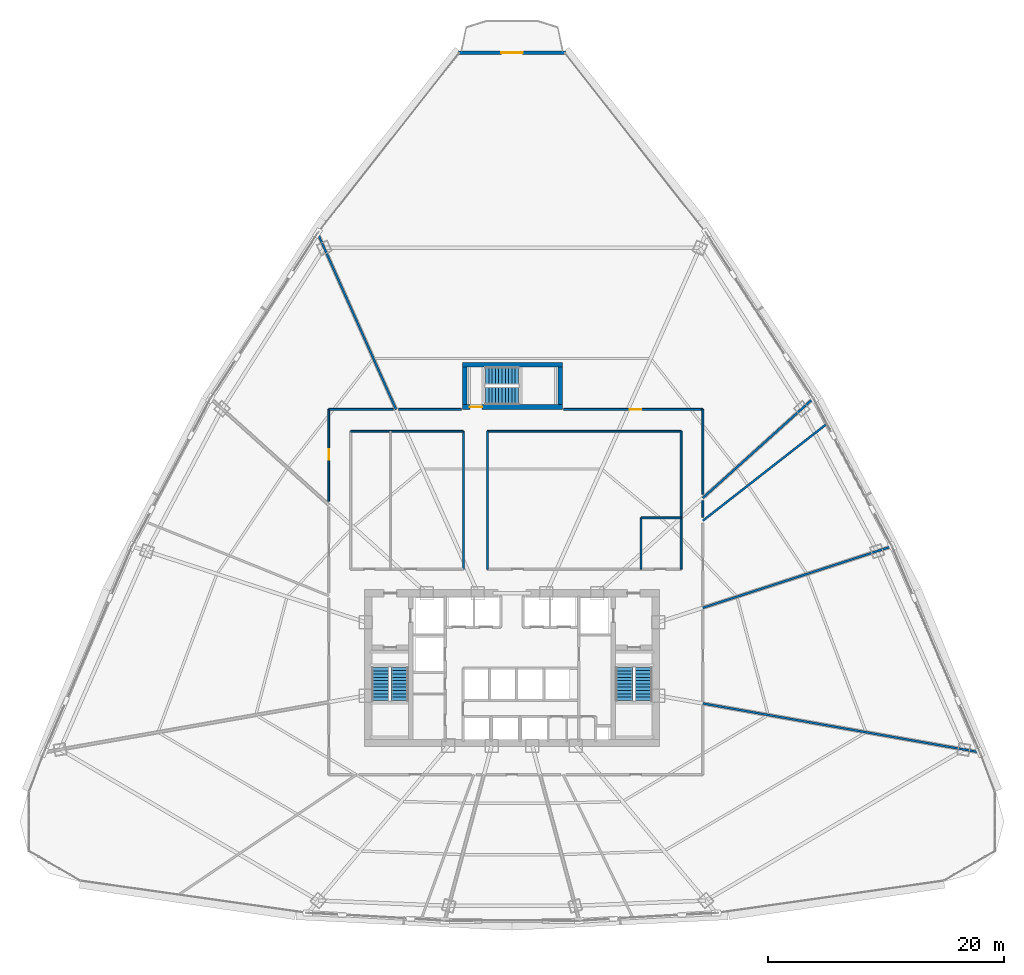
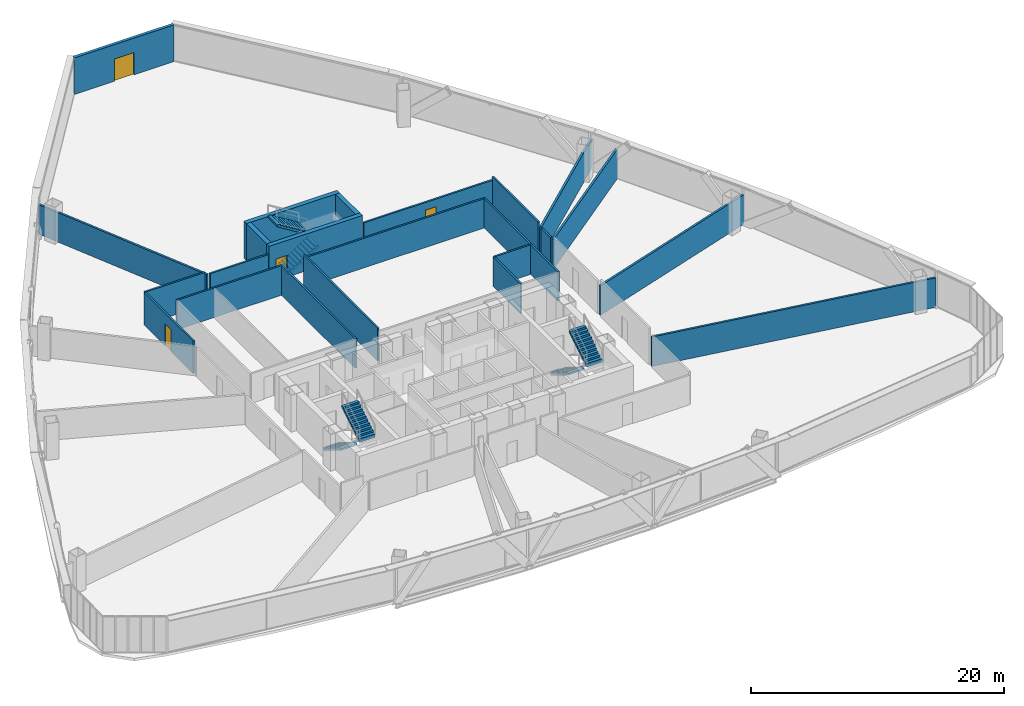
# One storey, part 36 of 41: 23 walls, 6 stair flights, 4 doors, 4 openings, 3 elements without a shape of their own.
"""IFC4 building model written with IfcOpenShell, lengths in metres."""

from ifc_helpers import new_model, si_unit, direction, frame, frame_2d, origin, origin_with_axes, place, context, subcontext, project, spatial, polyline, rectangle, outline, extrude, source, transform, mapped, material, layer, layer_set, type_object, element, fill, aggregate, save


model = new_model("IFC4")

# Units and contexts
model_context = context("Model", 3, precision=1e-05, world=origin(), true_north=direction((0.0, 1.0)))
body_context = subcontext(model_context, "Body", "Model", "MODEL_VIEW")
ifc_project = project(units=[si_unit("LENGTHUNIT", "METRE"), si_unit("AREAUNIT", "SQUARE_METRE"), si_unit("VOLUMEUNIT", "CUBIC_METRE"), si_unit("PLANEANGLEUNIT", "RADIAN"), si_unit("MASSUNIT", "GRAM", prefix="KILO"), si_unit("THERMODYNAMICTEMPERATUREUNIT", "KELVIN"), si_unit("POWERUNIT", "WATT")], contexts=[model_context])

# Site, building, storey
site_placement = place(None, origin())
site = spatial("IfcSite", under=ifc_project, at=site_placement, CompositionType="ELEMENT")
building_placement = place(site_placement, origin())
building = spatial("IfcBuilding", under=site, at=building_placement, Name="Yunzhuo Pagoda Commons", CompositionType="ELEMENT")
storey_placement = place(building_placement, frame((0.0, 0.0, 111.580078125)))
storey = spatial("IfcBuildingStorey", under=building, at=storey_placement, Name="L28", CompositionType="ELEMENT", Elevation=111.580078125)

# Wall, opening, door
ifc_material_1 = material(Name="Precast concrete C40", Category="concrete")
ifc_layer_1 = layer(ifc_material_1, 0.260009765625)
ifc_layer_set_1 = layer_set([ifc_layer_1], Name="Precast concrete C40")
wall_type_1 = type_object("IfcWallType", Name="W-BAL1 Corner Balcony Threshold Wall 260", PredefinedType="STANDARD", material=ifc_layer_set_1)
wall_1_placement = place(storey_placement, frame((52.53173828125, 86.073974609375, 0.0), z_axis=(0.0, 0.0, 1.0), x_axis=(-1.0, 0.0, 0.0)))
wall_1 = element("IfcWall", 1, at=wall_1_placement, inside=storey, type_object=wall_type_1, Name="L28 corner balcony wall V3", PredefinedType="STANDARD", context=body_context, shape_type="SweptSolid", body=[
    extrude(rectangle(XDim=9.0634765625, YDim=0.260009765625, at=frame_2d((4.53173828125, 0.0))), origin(), (0.0, 0.0, 1.0), 3.5400390625),
])
opening_1_placement = place(wall_1_placement, frame((3.6318359375, 0.0, 0.0)))
opening_1 = element("IfcOpeningElement", 2, at=opening_1_placement, cuts=wall_1, Name="Opening D-BAL1", PredefinedType="OPENING", context=body_context, shape_type="SweptSolid", body=[
    extrude(rectangle(XDim=1.800048828125, YDim=2.14990234375, at=frame_2d((0.89990234375, 1.074951171875))), frame((0.0, 0.14013671875, 0.0), z_axis=(0.0, -1.0, 0.0), x_axis=(1.0, 0.0, 0.0)), (0.0, 0.0, 1.0), 0.280029296875),
])
ifc_material_2 = material(Name="Anodized aluminium frame and tempered glazed leaf", Category="aluminium")
door_type_1 = type_object("IfcDoorType", Name="D-BAL1 Corner Balcony Sliding Glazed Door 1800x2150", OperationType="DOUBLE_DOOR_SLIDING", PredefinedType="DOOR", material=ifc_material_2)
shared_shape_1 = source(origin(), body_context, "Body", "SweptSolid", [
    extrude(rectangle(XDim=1.800048828125, YDim=2.14990234375, at=frame_2d((0.89990234375, 1.074951171875))), frame((0.0, 0.02490234375, 0.0), z_axis=(0.0, -1.0, 0.0), x_axis=(1.0, 0.0, 0.0)), (0.0, 0.0, 1.0), 0.050048828125),
])
door_1_placement = place(opening_1_placement, origin_with_axes())
door_1 = element("IfcDoor", 3, at=door_1_placement, inside=storey, type_object=door_type_1, Name="L28 corner balcony sliding door V3", OperationType="DOUBLE_DOOR_SLIDING", OverallHeight=2.14990234375, OverallWidth=1.800048828125, PredefinedType="DOOR", context=body_context, shape_type="MappedRepresentation", body=[
    mapped(shared_shape_1, transform((0.0, 0.0, 0.0), scale=1.0)),
])
fill(opening_1, door_1)

# Walls
ifc_material_3 = material(Name="Gypsum plasterboard on acoustic stud")
ifc_layer_2 = layer(ifc_material_3, 0.159912109375)
ifc_layer_set_2 = layer_set([ifc_layer_2], Name="Gypsum plasterboard on acoustic stud")
wall_type_2 = type_object("IfcWallType", Name="W-COR1 Tower Rated Corridor Wall 160", PredefinedType="PARTITIONING", material=ifc_layer_set_2)
wall_2_placement = place(storey_placement, frame((34.300048828125, 53.949951171875, 0.0), z_axis=(0.0, 0.0, 1.0), x_axis=(1.0, 0.0, 0.0)))
element("IfcWall", 4, at=wall_2_placement, inside=storey, type_object=wall_type_2, Name="L28 interior wall IW-L28-ISLWN", PredefinedType="PARTITIONING", context=body_context, shape_type="SweptSolid", body=[
    extrude(rectangle(XDim=9.579833984375, YDim=0.159912109375, at=frame_2d((4.7900390625, 0.0))), origin(), (0.0, 0.0, 1.0), 2.83984375),
])
wall_3_placement = place(storey_placement, frame((43.8798828125, 42.25, 0.0), z_axis=(0.0, 0.0, 1.0), x_axis=(0.0, 1.0, 0.0)))
element("IfcWall", 5, at=wall_3_placement, inside=storey, type_object=wall_type_2, Name="L28 interior wall IW-L28-ISLWE", PredefinedType="PARTITIONING", context=body_context, shape_type="SweptSolid", body=[
    extrude(rectangle(XDim=11.699951171875, YDim=0.159912109375, at=frame_2d((5.85009765625, 0.0))), origin(), (0.0, 0.0, 1.0), 2.83984375),
])
wall_4_placement = place(storey_placement, frame((45.919921875, 53.949951171875, 0.0), z_axis=(0.0, 0.0, 1.0), x_axis=(1.0, 0.0, 0.0)))
element("IfcWall", 6, at=wall_4_placement, inside=storey, type_object=wall_type_2, Name="L28 interior wall IW-L28-ISLEN", PredefinedType="PARTITIONING", context=body_context, shape_type="SweptSolid", body=[
    extrude(rectangle(XDim=16.43017578125, YDim=0.159912109375, at=frame_2d((8.215087890625, 0.0))), origin(), (0.0, 0.0, 1.0), 2.83984375),
])
wall_5_placement = place(storey_placement, frame((45.919921875, 42.25, 0.0), z_axis=(0.0, 0.0, 1.0), x_axis=(0.0, 1.0, 0.0)))
element("IfcWall", 7, at=wall_5_placement, inside=storey, type_object=wall_type_2, Name="L28 interior wall IW-L28-ISLEW", PredefinedType="PARTITIONING", context=body_context, shape_type="SweptSolid", body=[
    extrude(rectangle(XDim=11.699951171875, YDim=0.159912109375, at=frame_2d((5.85009765625, 0.0))), origin(), (0.0, 0.0, 1.0), 3.139892578125),
])
wall_6_placement = place(storey_placement, frame((62.35009765625, 42.25, 0.0), z_axis=(0.0, 0.0, 1.0), x_axis=(0.0, 1.0, 0.0)))
element("IfcWall", 8, at=wall_6_placement, inside=storey, type_object=wall_type_2, Name="L28 interior wall IW-L28-ISLEE", PredefinedType="PARTITIONING", context=body_context, shape_type="SweptSolid", body=[
    extrude(rectangle(XDim=11.699951171875, YDim=0.159912109375, at=frame_2d((5.85009765625, 0.0))), origin(), (0.0, 0.0, 1.0), 2.83984375),
])
wall_7_placement = place(storey_placement, frame((58.949951171875, 42.25, 0.0), z_axis=(0.0, 0.0, 1.0), x_axis=(0.0, 1.0, 0.0)))
element("IfcWall", 9, at=wall_7_placement, inside=storey, type_object=wall_type_2, Name="L28 interior wall IW-L28-ISL2W", PredefinedType="PARTITIONING", context=body_context, shape_type="SweptSolid", body=[
    extrude(rectangle(XDim=4.35009765625, YDim=0.159912109375, at=frame_2d((2.175048828125, 0.0))), origin(), (0.0, 0.0, 1.0), 2.83984375),
])
wall_8_placement = place(storey_placement, frame((58.949951171875, 46.60009765625, 0.0), z_axis=(0.0, 0.0, 1.0), x_axis=(1.0, 0.0, 0.0)))
element("IfcWall", 10, at=wall_8_placement, inside=storey, type_object=wall_type_2, Name="L28 interior wall IW-L28-ISL2N", PredefinedType="PARTITIONING", context=body_context, shape_type="SweptSolid", body=[
    extrude(rectangle(XDim=3.400146484375, YDim=0.159912109375, at=frame_2d((1.7001953125, 0.0))), origin(), (0.0, 0.0, 1.0), 2.83984375),
])

# Wall, opening, door
wall_9_placement = place(storey_placement, frame((32.449951171875, 47.997314453125, 0.0), z_axis=(0.0, 0.0, 1.0), x_axis=(0.0, 1.0, 0.0)))
wall_9 = element("IfcWall", 11, at=wall_9_placement, inside=storey, type_object=wall_type_2, Name="L28 interior wall IW-L28-CWL04", PredefinedType="PARTITIONING", context=body_context, shape_type="SweptSolid", body=[
    extrude(rectangle(XDim=7.802734375, YDim=0.159912109375, at=frame_2d((3.9013671875, 0.0))), origin(), (0.0, 0.0, 1.0), 3.139892578125),
])
opening_2_placement = place(wall_9_placement, frame((3.523193359375, 0.0, 0.0)))
opening_2 = element("IfcOpeningElement", 12, at=opening_2_placement, cuts=wall_9, Name="Opening D-04", PredefinedType="OPENING", context=body_context, shape_type="SweptSolid", body=[
    extrude(rectangle(XDim=0.919921875, YDim=2.10009765625, at=frame_2d((0.4599609375, 1.050048828125))), frame((0.0, 0.08984375, 0.0), z_axis=(0.0, -1.0, 0.0), x_axis=(1.0, 0.0, 0.0)), (0.0, 0.0, 1.0), 0.179931640625),
])
ifc_material_4 = material(Name="Powder-coated aluminium and timber acoustic leaf", Category="wood")
door_type_2 = type_object("IfcDoorType", Name="D-04 Bedroom & Study Interior Door 920x2100", OperationType="NOTDEFINED", PredefinedType="DOOR", material=ifc_material_4)
shared_shape_2 = source(origin(), body_context, "Body", "SweptSolid", [
    extrude(rectangle(XDim=0.919921875, YDim=2.10009765625, at=frame_2d((0.4599609375, 1.050048828125))), frame((0.0, 0.02490234375, 0.0), z_axis=(0.0, -1.0, 0.0), x_axis=(1.0, 0.0, 0.0)), (0.0, 0.0, 1.0), 0.050048828125),
])
door_2_placement = place(opening_2_placement, origin_with_axes())
door_2 = element("IfcDoor", 13, at=door_2_placement, inside=storey, type_object=door_type_2, Name="L28 seminar room 05 door", OperationType="SINGLE_SWING_RIGHT", OverallHeight=2.10009765625, OverallWidth=0.919921875, PredefinedType="DOOR", context=body_context, shape_type="MappedRepresentation", body=[
    mapped(shared_shape_2, transform((0.0, 0.0, 0.0), scale=1.0)),
])
fill(opening_2, door_2)

# Walls
wall_10_placement = place(storey_placement, frame((32.449951171875, 55.800048828125, 0.0), z_axis=(0.0, 0.0, 1.0), x_axis=(1.0, 0.0, 0.0)))
element("IfcWall", 14, at=wall_10_placement, inside=storey, type_object=wall_type_2, Name="L28 interior wall IW-L28-CWL05", PredefinedType="PARTITIONING", context=body_context, shape_type="SweptSolid", body=[
    extrude(rectangle(XDim=5.4697265625, YDim=0.159912109375, at=frame_2d((2.73486328125, 0.0))), origin(), (0.0, 0.0, 1.0), 3.139892578125),
])
wall_11_placement = place(storey_placement, frame((38.380126953125, 55.800048828125, 0.0), z_axis=(0.0, 0.0, 1.0), x_axis=(1.0, 0.0, 0.0)))
element("IfcWall", 15, at=wall_11_placement, inside=storey, type_object=wall_type_2, Name="L28 interior wall IW-L28-CWL06", PredefinedType="PARTITIONING", context=body_context, shape_type="SweptSolid", body=[
    extrude(rectangle(XDim=5.328857421875, YDim=0.159912109375, at=frame_2d((2.66455078125, 0.0))), origin(), (0.0, 0.0, 1.0), 2.83984375),
])

# Wall, opening, door
wall_12_placement = place(storey_placement, frame((52.39111328125, 55.800048828125, 0.0), z_axis=(0.0, 0.0, 1.0), x_axis=(1.0, 0.0, 0.0)))
wall_12 = element("IfcWall", 16, at=wall_12_placement, inside=storey, type_object=wall_type_2, Name="L28 interior wall IW-L28-CWL07", PredefinedType="PARTITIONING", context=body_context, shape_type="SweptSolid", body=[
    extrude(rectangle(XDim=11.808837890625, YDim=0.159912109375, at=frame_2d((5.904296875, 0.0))), origin(), (0.0, 0.0, 1.0), 2.83984375),
])
opening_3_placement = place(wall_12_placement, frame((5.623779296875, 0.0, 0.0)))
opening_3 = element("IfcOpeningElement", 17, at=opening_3_placement, cuts=wall_12, Name="Opening D-06", PredefinedType="OPENING", context=body_context, shape_type="SweptSolid", body=[
    extrude(rectangle(XDim=0.949951171875, YDim=2.10009765625, at=frame_2d((0.47509765625, 1.050048828125))), frame((0.0, 0.08984375, 0.0), z_axis=(0.0, -1.0, 0.0), x_axis=(1.0, 0.0, 0.0)), (0.0, 0.0, 1.0), 0.179931640625),
])
ifc_material_5 = material(Name="Galvanized fire-resisting metal leaf")
door_type_3 = type_object("IfcDoorType", Name="D-06 Co-Living Suite Entrance Fire Door 950x2100", OperationType="NOTDEFINED", PredefinedType="DOOR", material=ifc_material_5)
shared_shape_3 = source(origin(), body_context, "Body", "SweptSolid", [
    extrude(rectangle(XDim=0.949951171875, YDim=2.10009765625, at=frame_2d((0.47509765625, 1.050048828125))), frame((0.0, 0.02490234375, 0.0), z_axis=(0.0, -1.0, 0.0), x_axis=(1.0, 0.0, 0.0)), (0.0, 0.0, 1.0), 0.050048828125),
])
door_3_placement = place(opening_3_placement, origin_with_axes())
door_3 = element("IfcDoor", 18, at=door_3_placement, inside=storey, type_object=door_type_3, Name="L28 Shared Resident Kitchen and Pantry door", OperationType="SINGLE_SWING_LEFT", OverallHeight=2.10009765625, OverallWidth=0.949951171875, PredefinedType="DOOR", context=body_context, shape_type="MappedRepresentation", body=[
    mapped(shared_shape_3, transform((0.0, 0.0, 0.0), scale=1.0)),
])
fill(opening_3, door_3)

# Walls
wall_13_placement = place(storey_placement, frame((64.199951171875, 55.800048828125, 0.0), z_axis=(0.0, 0.0, 1.0), x_axis=(0.0, -1.0, 0.0)))
element("IfcWall", 19, at=wall_13_placement, inside=storey, type_object=wall_type_2, Name="L28 interior wall IW-L28-CWL08", PredefinedType="PARTITIONING", context=body_context, shape_type="SweptSolid", body=[
    extrude(rectangle(XDim=7.217529296875, YDim=0.159912109375, at=frame_2d((3.60888671875, 0.0))), origin(), (0.0, 0.0, 1.0), 3.139892578125),
])
wall_14_placement = place(storey_placement, frame((64.199951171875, 48.06689453125, 0.0), z_axis=(0.0, 0.0, 1.0), x_axis=(0.0, -1.0, 0.0)))
element("IfcWall", 20, at=wall_14_placement, inside=storey, type_object=wall_type_2, Name="L28 interior wall IW-L28-CWL09", PredefinedType="PARTITIONING", context=body_context, shape_type="SweptSolid", body=[
    extrude(rectangle(XDim=1.430908203125, YDim=0.159912109375, at=frame_2d((0.71533203125, 0.0))), origin(), (0.0, 0.0, 1.0), 2.83984375),
])
ifc_layer_3 = layer(ifc_material_3, 0.179931640625)
ifc_layer_set_3 = layer_set([ifc_layer_3], Name="Gypsum plasterboard on acoustic stud")
wall_type_3 = type_object("IfcWallType", Name="W-PRT2 Acoustic Unit Demising Wall 180", PredefinedType="PARTITIONING", material=ifc_layer_set_3)
wall_15_placement = place(storey_placement, frame((64.199951171875, 38.963623046875, 0.0), z_axis=(0.0, 0.0, 1.0), x_axis=(0.951054786835, 0.309022317054, 0.0)))
element("IfcWall", 21, at=wall_15_placement, inside=storey, type_object=wall_type_3, Name="L28 interior wall IW-L28-RAD01", PredefinedType="PARTITIONING", context=body_context, shape_type="SweptSolid", body=[
    extrude(rectangle(XDim=16.884765625, YDim=0.179931640625, at=frame_2d((8.4423828125, 0.0))), origin(), (0.0, 0.0, 1.0), 2.83984375),
])
wall_16_placement = place(storey_placement, frame((64.199951171875, 46.356689453125, 0.0), z_axis=(0.0, 0.0, 1.0), x_axis=(0.788007209352, 0.615666011738, 0.0)))
element("IfcWall", 22, at=wall_16_placement, inside=storey, type_object=wall_type_3, Name="L28 interior wall IW-L28-RAD02", PredefinedType="PARTITIONING", context=body_context, shape_type="SweptSolid", body=[
    extrude(rectangle(XDim=13.369873046875, YDim=0.179931640625, at=frame_2d((6.68505859375, 0.0))), origin(), (0.0, 0.0, 1.0), 2.83984375),
])
wall_17_placement = place(storey_placement, frame((64.199951171875, 48.28662109375, 0.0), z_axis=(0.0, 0.0, 1.0), x_axis=(0.743140441227, 0.66913547553, 0.0)))
element("IfcWall", 23, at=wall_17_placement, inside=storey, type_object=wall_type_3, Name="L28 interior wall IW-L28-RAD03", PredefinedType="PARTITIONING", context=body_context, shape_type="SweptSolid", body=[
    extrude(rectangle(XDim=12.638427734375, YDim=0.179931640625, at=frame_2d((6.3193359375, 0.0))), origin(), (0.0, 0.0, 1.0), 2.83984375),
])
wall_18_placement = place(storey_placement, frame((38.160400390625, 55.800048828125, 0.0), z_axis=(0.0, 0.0, 1.0), x_axis=(-0.406727469891, 0.913549541753, 0.0)))
element("IfcWall", 24, at=wall_18_placement, inside=storey, type_object=wall_type_3, Name="L28 interior wall IW-L28-RAD04", PredefinedType="PARTITIONING", context=body_context, shape_type="SweptSolid", body=[
    extrude(rectangle(XDim=16.381103515625, YDim=0.179931640625, at=frame_2d((8.1904296875, 0.0))), origin(), (0.0, 0.0, 1.0), 2.83984375),
])
wall_19_placement = place(storey_placement, frame((64.199951171875, 30.843505859375, 0.0), z_axis=(0.0, 0.0, 1.0), x_axis=(0.98480783024, -0.173647739683, 0.0)))
element("IfcWall", 25, at=wall_19_placement, inside=storey, type_object=wall_type_3, Name="L28 interior wall IW-L28-RAD13", PredefinedType="PARTITIONING", context=body_context, shape_type="SweptSolid", body=[
    extrude(rectangle(XDim=23.888671875, YDim=0.179931640625, at=frame_2d((11.9443359375, 0.0))), origin(), (0.0, 0.0, 1.0), 2.83984375),
])
ifc_material_6 = material(Name="Concrete C60", Category="concrete")
ifc_layer_4 = layer(ifc_material_6, 0.39990234375)
ifc_layer_set_4 = layer_set([ifc_layer_4], Name="Concrete C60")
wall_type_4 = type_object("IfcWallType", Name="W-S01 Internal Core Shear Web 400", PredefinedType="SHEAR", material=ifc_layer_set_4)
wall_20_placement = place(storey_placement, frame((43.800048828125, 59.60009765625, 0.0), z_axis=(0.0, 0.0, 1.0), x_axis=(1.0, 0.0, 0.0)))
element("IfcWall", 26, at=wall_20_placement, inside=storey, type_object=wall_type_4, Name="L28 ST3 structural stair wall N", PredefinedType="SHEAR", context=body_context, shape_type="SweptSolid", body=[
    extrude(rectangle(XDim=8.5, YDim=0.39990234375, at=frame_2d((4.25, 0.0))), origin(), (0.0, 0.0, 1.0), 3.5400390625),
])

# Wall, opening, door
wall_21_placement = place(storey_placement, frame((43.800048828125, 56.0, 0.0), z_axis=(0.0, 0.0, 1.0), x_axis=(1.0, 0.0, 0.0)))
wall_21 = element("IfcWall", 27, at=wall_21_placement, inside=storey, type_object=wall_type_4, Name="L28 ST3 structural stair wall S", PredefinedType="SHEAR", context=body_context, shape_type="SweptSolid", body=[
    extrude(rectangle(XDim=8.5, YDim=0.39990234375, at=frame_2d((4.25, 0.0))), origin(), (0.0, 0.0, 1.0), 3.5400390625),
])
opening_4_placement = place(wall_21_placement, frame((0.6201171875, 0.0, 0.0)))
opening_4 = element("IfcOpeningElement", 28, at=opening_4_placement, cuts=wall_21, Name="Opening D-01", PredefinedType="OPENING", context=body_context, shape_type="SweptSolid", body=[
    extrude(rectangle(XDim=1.050048828125, YDim=2.10009765625, at=frame_2d((0.52490234375, 1.050048828125))), frame((0.0, 0.2099609375, 0.0), z_axis=(0.0, -1.0, 0.0), x_axis=(1.0, 0.0, 0.0)), (0.0, 0.0, 1.0), 0.419921875),
])
door_type_4 = type_object("IfcDoorType", Name="D-01 Smokeproof Stair Fire Door 1050x2100", OperationType="NOTDEFINED", PredefinedType="DOOR", material=ifc_material_5)
shared_shape_4 = source(origin(), body_context, "Body", "SweptSolid", [
    extrude(rectangle(XDim=1.050048828125, YDim=2.10009765625, at=frame_2d((0.52490234375, 1.050048828125))), frame((0.0, 0.02490234375, 0.0), z_axis=(0.0, -1.0, 0.0), x_axis=(1.0, 0.0, 0.0)), (0.0, 0.0, 1.0), 0.050048828125),
])
door_4_placement = place(opening_4_placement, frame((1.050048828125, 0.0, 0.0), z_axis=(0.0, 0.0, 1.0), x_axis=(-1.0, 0.0, 0.0)))
door_4 = element("IfcDoor", 29, at=door_4_placement, inside=storey, type_object=door_type_4, Name="L28 Stair ST3 fire door", OperationType="SINGLE_SWING_LEFT", OverallHeight=2.10009765625, OverallWidth=1.050048828125, PredefinedType="DOOR", context=body_context, shape_type="MappedRepresentation", body=[
    mapped(shared_shape_4, transform((0.0, 0.0, 0.0), scale=1.0)),
])
fill(opening_4, door_4)

# Walls
for number, where, z_axis, x_axis, name in (
    (30, (44.0, 56.199951171875, 0.0), (0.0, 0.0, 1.0), (0.0, 1.0, 0.0), "L28 ST3 structural stair wall W"),
    (31, (52.10009765625, 56.199951171875, 0.0), (0.0, 0.0, 1.0), (0.0, 1.0, 0.0), "L28 ST3 structural stair wall E"),
):
    element("IfcWall", number, at=place(storey_placement, frame(where, z_axis=z_axis, x_axis=x_axis)), inside=storey, type_object=wall_type_4, Name=name, PredefinedType="SHEAR", context=body_context, shape_type="SweptSolid", body=[
        extrude(rectangle(XDim=3.199951171875, YDim=0.39990234375, at=frame_2d((1.60009765625, 0.0))), origin(), (0.0, 0.0, 1.0), 3.5400390625),
    ])

# Stair, stair flights
ifc_material_7 = material(Name="Concrete C40", Category="concrete")
stair_type_1 = type_object("IfcStairType", Name="ST-C1 Core Smokeproof Stair ST1", PredefinedType="HALF_TURN_STAIR", material=ifc_material_7)
stair_1_placement = place(storey_placement, origin())
stair_1 = element("IfcStair", 32, at=stair_1_placement, inside=storey, type_object=stair_type_1, Name="L28 Core smokeproof stair ST1", PredefinedType="HALF_TURN_STAIR")
stair_flight_type_1 = type_object("IfcStairFlightType", Name="STF-C1 Core Stair Flight 1450", PredefinedType="STRAIGHT", material=ifc_material_7)
shared_shape_5 = source(origin(), body_context, "Body", "SweptSolid", [
    extrude(outline(polyline([(0.0, -0.14990234375), (0.0, 0.0), (0.0, 0.172607421875), (0.280029296875, 0.172607421875), (0.280029296875, 0.345458984375), (0.56005859375, 0.345458984375), (0.56005859375, 0.51806640625), (0.840087890625, 0.51806640625), (0.840087890625, 0.69091796875), (1.1201171875, 0.69091796875), (1.1201171875, 0.863525390625), (1.39990234375, 0.863525390625), (1.39990234375, 1.036376953125), (1.679931640625, 1.036376953125), (1.679931640625, 1.208984375), (1.9599609375, 1.208984375), (1.9599609375, 1.3818359375), (2.239990234375, 1.3818359375), (2.239990234375, 1.554443359375), (2.52001953125, 1.554443359375), (2.52001953125, 1.727294921875), (2.800048828125, 1.727294921875), (2.800048828125, 1.89990234375), (2.800048828125, 1.551025390625), (0.285400390625, 0.0), (0.050048828125, -0.14990234375), (0.0, -0.14990234375)])), frame((0.0, 0.72509765625, 0.0), z_axis=(0.0, -1.0, 0.0), x_axis=(1.0, 0.0, 0.0)), (0.0, 0.0, 1.0), 1.449951171875),
])
stair_flight_1_placement = place(storey_placement, frame((36.824951171875, 33.89990234375, 0.0), z_axis=(0.0, 0.0, 1.0), x_axis=(0.0, -1.0, 0.0)))
stair_flight_1 = element("IfcStairFlight", 33, at=stair_flight_1_placement, type_object=stair_flight_type_1, Name="ST1 flight 1", NumberOfRisers=11, NumberOfTreads=10, PredefinedType="STRAIGHT", RiserHeight=0.172727273, TreadLength=0.28, context=body_context, shape_type="MappedRepresentation", body=[
    mapped(shared_shape_5, transform((0.0, 0.0, 0.0), scale=1.0)),
])
stair_flight_2_placement = place(storey_placement, frame((38.47509765625, 31.10009765625, 1.89990234375), z_axis=(0.0, 0.0, 1.0), x_axis=(0.0, 1.0, 0.0)))
stair_flight_2 = element("IfcStairFlight", 34, at=stair_flight_2_placement, type_object=stair_flight_type_1, Name="ST1 flight 2", NumberOfRisers=11, NumberOfTreads=10, PredefinedType="STRAIGHT", RiserHeight=0.172727273, TreadLength=0.28, context=body_context, shape_type="MappedRepresentation", body=[
    mapped(shared_shape_5, transform((0.0, 0.0, 0.0), scale=1.0)),
])
aggregate(stair_1, [stair_flight_1, stair_flight_2])

stair_type_2 = type_object("IfcStairType", Name="ST-C2 Core Smokeproof Stair ST2", PredefinedType="HALF_TURN_STAIR", material=ifc_material_7)
stair_2_placement = place(storey_placement, origin())
stair_2 = element("IfcStair", 35, at=stair_2_placement, inside=storey, type_object=stair_type_2, Name="L28 Core smokeproof stair ST2", PredefinedType="HALF_TURN_STAIR")
stair_flight_type_2 = type_object("IfcStairFlightType", Name="STF-C2 Core Stair Flight 1460", PredefinedType="STRAIGHT", material=ifc_material_7)
stair_flight_3_placement = place(storey_placement, frame((57.52490234375, 33.89990234375, 0.0), z_axis=(0.0, 0.0, 1.0), x_axis=(0.0, -1.0, 0.0)))
stair_flight_3 = element("IfcStairFlight", 36, at=stair_flight_3_placement, type_object=stair_flight_type_2, Name="ST2 flight 1", NumberOfRisers=11, NumberOfTreads=10, PredefinedType="STRAIGHT", RiserHeight=0.172727273, TreadLength=0.28, context=body_context, shape_type="MappedRepresentation", body=[
    mapped(shared_shape_5, transform((0.0, 0.0, 0.0), scale=1.0)),
])
stair_flight_4_placement = place(storey_placement, frame((59.175048828125, 31.10009765625, 1.89990234375), z_axis=(0.0, 0.0, 1.0), x_axis=(0.0, 1.0, 0.0)))
stair_flight_4 = element("IfcStairFlight", 37, at=stair_flight_4_placement, type_object=stair_flight_type_2, Name="ST2 flight 2", NumberOfRisers=11, NumberOfTreads=10, PredefinedType="STRAIGHT", RiserHeight=0.172727273, TreadLength=0.28, context=body_context, shape_type="MappedRepresentation", body=[
    mapped(shared_shape_5, transform((0.0, 0.0, 0.0), scale=1.0)),
])
aggregate(stair_2, [stair_flight_3, stair_flight_4])

stair_type_3 = type_object("IfcStairType", Name="ST-C3 North Tower Smokeproof Stair ST3", PredefinedType="HALF_TURN_STAIR", material=ifc_material_7)
stair_3_placement = place(storey_placement, origin())
stair_3 = element("IfcStair", 38, at=stair_3_placement, inside=storey, type_object=stair_type_3, Name="L28 North tower smokeproof stair ST3", PredefinedType="HALF_TURN_STAIR")
stair_flight_type_3 = type_object("IfcStairFlightType", Name="STF-C3 North Stair Flight 1500", PredefinedType="STRAIGHT", material=ifc_material_7)
shared_shape_6 = source(origin(), body_context, "Body", "SweptSolid", [
    extrude(outline(polyline([(0.0, -0.14990234375), (0.0, 0.0), (0.0, 0.172607421875), (0.280029296875, 0.172607421875), (0.280029296875, 0.345458984375), (0.56005859375, 0.345458984375), (0.56005859375, 0.51806640625), (0.840087890625, 0.51806640625), (0.840087890625, 0.69091796875), (1.1201171875, 0.69091796875), (1.1201171875, 0.863525390625), (1.39990234375, 0.863525390625), (1.39990234375, 1.036376953125), (1.679931640625, 1.036376953125), (1.679931640625, 1.208984375), (1.9599609375, 1.208984375), (1.9599609375, 1.3818359375), (2.239990234375, 1.3818359375), (2.239990234375, 1.554443359375), (2.52001953125, 1.554443359375), (2.52001953125, 1.727294921875), (2.800048828125, 1.727294921875), (2.800048828125, 1.89990234375), (2.800048828125, 1.551025390625), (0.285400390625, 0.0), (0.050048828125, -0.14990234375), (0.0, -0.14990234375)])), frame((0.0, 0.75, 0.0), z_axis=(0.0, -1.0, 0.0), x_axis=(1.0, 0.0, 0.0)), (0.0, 0.0, 1.0), 1.5),
])
stair_flight_5_placement = place(storey_placement, frame((45.75, 56.949951171875, 0.0), z_axis=(0.0, 0.0, 1.0), x_axis=(1.0, 0.0, 0.0)))
stair_flight_5 = element("IfcStairFlight", 39, at=stair_flight_5_placement, type_object=stair_flight_type_3, Name="ST3 flight 1", NumberOfRisers=11, NumberOfTreads=10, PredefinedType="STRAIGHT", RiserHeight=0.172727273, TreadLength=0.28, context=body_context, shape_type="MappedRepresentation", body=[
    mapped(shared_shape_6, transform((0.0, 0.0, 0.0), scale=1.0)),
])
stair_flight_6_placement = place(storey_placement, frame((48.550048828125, 58.64990234375, 1.89990234375), z_axis=(0.0, 0.0, 1.0), x_axis=(-1.0, 0.0, 0.0)))
stair_flight_6 = element("IfcStairFlight", 40, at=stair_flight_6_placement, type_object=stair_flight_type_3, Name="ST3 flight 2", NumberOfRisers=11, NumberOfTreads=10, PredefinedType="STRAIGHT", RiserHeight=0.172727273, TreadLength=0.28, context=body_context, shape_type="MappedRepresentation", body=[
    mapped(shared_shape_6, transform((0.0, 0.0, 0.0), scale=1.0)),
])
aggregate(stair_3, [stair_flight_5, stair_flight_6])

save(model, "model.ifc")
